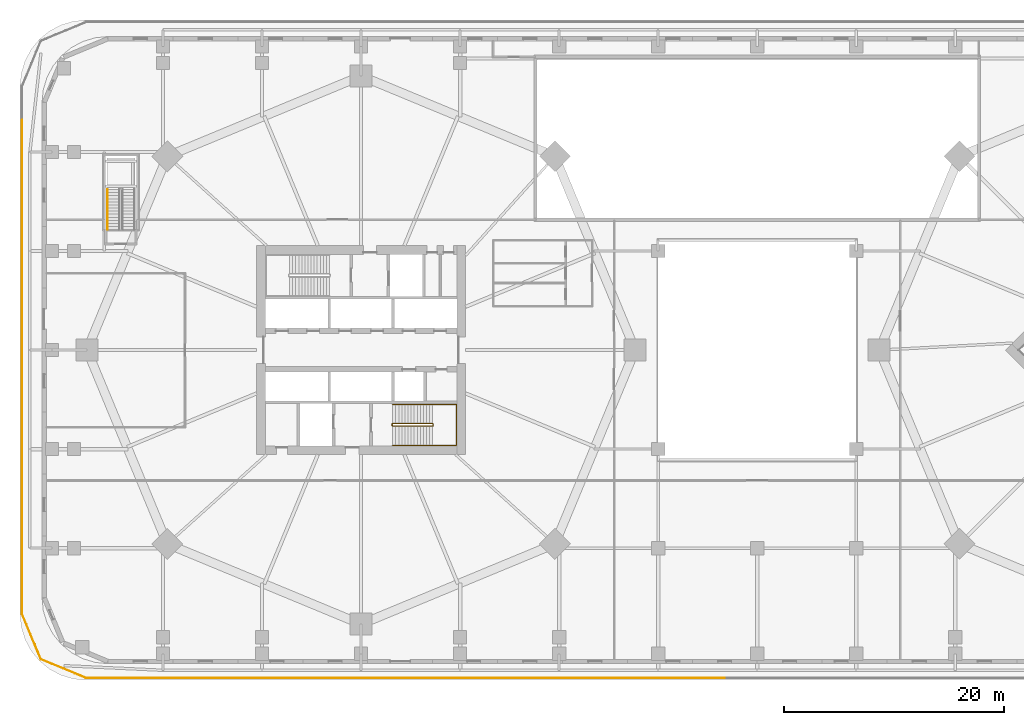
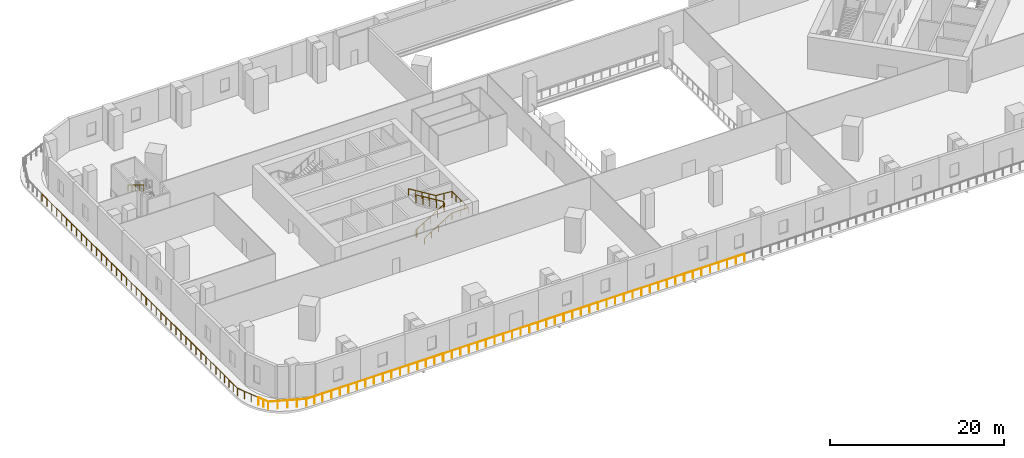
# One storey, part 13 of 17: 17 railings.
"""IFC4 building model written with IfcOpenShell, lengths in metres."""

from ifc_helpers import new_model, si_unit, direction, frame, origin, origin_2d, place, context, subcontext, project, spatial, circle, extrude, material, type_object, element, save


model = new_model("IFC4")

# Units and contexts
model_context = context("Model", 3, precision=1e-05, world=origin(), true_north=direction((0.0, 1.0)))
body_context = subcontext(model_context, "Body", "Model", "MODEL_VIEW")
ifc_project = project(units=[si_unit("LENGTHUNIT", "METRE"), si_unit("AREAUNIT", "SQUARE_METRE"), si_unit("VOLUMEUNIT", "CUBIC_METRE"), si_unit("PLANEANGLEUNIT", "RADIAN"), si_unit("MASSUNIT", "GRAM", prefix="KILO")], contexts=[model_context])

# Site, building, storey
site_placement = place(None, origin())
site = spatial("IfcSite", under=ifc_project, at=site_placement, CompositionType="ELEMENT")
building_placement = place(site_placement, origin())
building = spatial("IfcBuilding", under=site, at=building_placement, Name="Ogive Gate Towers", CompositionType="ELEMENT")
storey_placement = place(building_placement, frame((0.0, 0.0, 18.0)))
storey = spatial("IfcBuildingStorey", under=building, at=storey_placement, Name="L03", CompositionType="ELEMENT", Elevation=18.0)

# Railings
ifc_material_1 = material(Name="Stainless steel", Category="steel")
railing_type_1 = type_object("IfcRailingType", Name="Guard 1100", PredefinedType="GUARDRAIL", material=ifc_material_1)
railing_1_placement = place(storey_placement, frame((-66.800048828125, 20.893798828125, 0.0)))
element("IfcRailing", 1, at=railing_1_placement, inside=storey, type_object=railing_type_1, Name="Terrace guard", PredefinedType="GUARDRAIL", context=body_context, shape_type="SweptSolid", body=[
    extrude(circle(Radius=0.02392578125, at=origin_2d()), frame((0.0, 0.0, 1.076171875), z_axis=(0.0, -1.0, 0.0), x_axis=(1.0, 0.0, 0.0)), (0.0, 0.0, 1.0), 7.939697265625),
    extrude(circle(Radius=0.02099609375, at=origin_2d()), origin(), (0.0, 0.0, 1.0), 1.052001953125),
    extrude(circle(Radius=0.02099609375, at=origin_2d()), frame((0.0, -1.13427734375, 0.0)), (0.0, 0.0, 1.0), 1.052001953125),
    extrude(circle(Radius=0.02099609375, at=origin_2d()), frame((0.0, -2.2685546875, 0.0)), (0.0, 0.0, 1.0), 1.052001953125),
    extrude(circle(Radius=0.02099609375, at=origin_2d()), frame((0.0, -3.40283203125, 0.0)), (0.0, 0.0, 1.0), 1.052001953125),
    extrude(circle(Radius=0.02099609375, at=origin_2d()), frame((0.0, -4.536865234375, 0.0)), (0.0, 0.0, 1.0), 1.052001953125),
    extrude(circle(Radius=0.02099609375, at=origin_2d()), frame((0.0, -5.671142578125, 0.0)), (0.0, 0.0, 1.0), 1.052001953125),
    extrude(circle(Radius=0.02099609375, at=origin_2d()), frame((0.0, -6.805419921875, 0.0)), (0.0, 0.0, 1.0), 1.052001953125),
    extrude(circle(Radius=0.02099609375, at=origin_2d()), frame((0.0, -7.939697265625, 0.0)), (0.0, 0.0, 1.0), 1.052001953125),
])
railing_2_placement = place(storey_placement, frame((-66.800048828125, 12.904052734375, 0.0)))
element("IfcRailing", 2, at=railing_2_placement, inside=storey, type_object=railing_type_1, Name="Terrace guard", PredefinedType="GUARDRAIL", context=body_context, shape_type="SweptSolid", body=[
    extrude(circle(Radius=0.02392578125, at=origin_2d()), frame((0.0, 0.0, 1.076171875), z_axis=(0.0, -1.0, 0.0), x_axis=(1.0, 0.0, 0.0)), (0.0, 0.0, 1.0), 7.939453125),
    extrude(circle(Radius=0.02099609375, at=origin_2d()), origin(), (0.0, 0.0, 1.0), 1.052001953125),
    extrude(circle(Radius=0.02099609375, at=origin_2d()), frame((0.0, -1.13427734375, 0.0)), (0.0, 0.0, 1.0), 1.052001953125),
    extrude(circle(Radius=0.02099609375, at=origin_2d()), frame((0.0, -2.268310546875, 0.0)), (0.0, 0.0, 1.0), 1.052001953125),
    extrude(circle(Radius=0.02099609375, at=origin_2d()), frame((0.0, -3.402587890625, 0.0)), (0.0, 0.0, 1.0), 1.052001953125),
    extrude(circle(Radius=0.02099609375, at=origin_2d()), frame((0.0, -4.536865234375, 0.0)), (0.0, 0.0, 1.0), 1.052001953125),
    extrude(circle(Radius=0.02099609375, at=origin_2d()), frame((0.0, -5.671142578125, 0.0)), (0.0, 0.0, 1.0), 1.052001953125),
    extrude(circle(Radius=0.02099609375, at=origin_2d()), frame((0.0, -6.80517578125, 0.0)), (0.0, 0.0, 1.0), 1.052001953125),
    extrude(circle(Radius=0.02099609375, at=origin_2d()), frame((0.0, -7.939453125, 0.0)), (0.0, 0.0, 1.0), 1.052001953125),
])
for number, where, name in (
    (3, (-66.800048828125, 4.91455078125, 0.0), "Terrace guard"),
    (4, (-66.800048828125, -3.0751953125, 0.0), "Terrace guard"),
    (5, (-66.800048828125, -11.064697265625, 0.0), "Terrace guard"),
):
    element("IfcRailing", number, at=place(storey_placement, frame(where)), inside=storey, type_object=railing_type_1, Name=name, PredefinedType="GUARDRAIL", context=body_context, shape_type="SweptSolid", body=[
        extrude(circle(Radius=0.02392578125, at=origin_2d()), frame((0.0, 0.0, 1.076171875), z_axis=(0.0, -1.0, 0.0), x_axis=(1.0, 0.0, 0.0)), (0.0, 0.0, 1.0), 7.939697265625),
        extrude(circle(Radius=0.02099609375, at=origin_2d()), origin(), (0.0, 0.0, 1.0), 1.052001953125),
        extrude(circle(Radius=0.02099609375, at=origin_2d()), frame((0.0, -1.13427734375, 0.0)), (0.0, 0.0, 1.0), 1.052001953125),
        extrude(circle(Radius=0.02099609375, at=origin_2d()), frame((0.0, -2.2685546875, 0.0)), (0.0, 0.0, 1.0), 1.052001953125),
        extrude(circle(Radius=0.02099609375, at=origin_2d()), frame((0.0, -3.40283203125, 0.0)), (0.0, 0.0, 1.0), 1.052001953125),
        extrude(circle(Radius=0.02099609375, at=origin_2d()), frame((0.0, -4.536865234375, 0.0)), (0.0, 0.0, 1.0), 1.052001953125),
        extrude(circle(Radius=0.02099609375, at=origin_2d()), frame((0.0, -5.671142578125, 0.0)), (0.0, 0.0, 1.0), 1.052001953125),
        extrude(circle(Radius=0.02099609375, at=origin_2d()), frame((0.0, -6.805419921875, 0.0)), (0.0, 0.0, 1.0), 1.052001953125),
        extrude(circle(Radius=0.02099609375, at=origin_2d()), frame((0.0, -7.939697265625, 0.0)), (0.0, 0.0, 1.0), 1.052001953125),
    ])
railing_3_placement = place(storey_placement, frame((-66.800048828125, -19.054443359375, 0.0)))
element("IfcRailing", 6, at=railing_3_placement, inside=storey, type_object=railing_type_1, Name="Terrace guard", PredefinedType="GUARDRAIL", context=body_context, shape_type="SweptSolid", body=[
    extrude(circle(Radius=0.02392578125, at=origin_2d()), frame((0.0, 0.0, 1.076171875), z_axis=(0.0, -1.0, 0.0), x_axis=(1.0, 0.0, 0.0)), (0.0, 0.0, 1.0), 4.945556640625),
    extrude(circle(Radius=0.02392578125, at=origin_2d()), frame((0.0, -4.945556640625, 1.076171875), z_axis=(0.382680671863, -0.923880675944, 0.0), x_axis=(0.923880675944, 0.382680671863, 0.0)), (0.0, 0.0, 1.0), 2.993896484375),
    extrude(circle(Radius=0.02099609375, at=origin_2d()), origin(), (0.0, 0.0, 1.0), 1.052001953125),
    extrude(circle(Radius=0.02099609375, at=origin_2d()), frame((0.0, -0.989013671875, 0.0)), (0.0, 0.0, 1.0), 1.052001953125),
    extrude(circle(Radius=0.02099609375, at=origin_2d()), frame((0.0, -1.978271484375, 0.0)), (0.0, 0.0, 1.0), 1.052001953125),
    extrude(circle(Radius=0.02099609375, at=origin_2d()), frame((0.0, -2.96728515625, 0.0)), (0.0, 0.0, 1.0), 1.052001953125),
    extrude(circle(Radius=0.02099609375, at=origin_2d()), frame((0.0, -3.95654296875, 0.0)), (0.0, 0.0, 1.0), 1.052001953125),
    extrude(circle(Radius=0.02099609375, at=origin_2d()), frame((0.0, -4.945556640625, 0.0)), (0.0, 0.0, 1.0), 1.052001953125),
    extrude(circle(Radius=0.02099609375, at=origin_2d()), frame((0.3818359375, -5.86767578125, 0.0)), (0.0, 0.0, 1.0), 1.052001953125),
    extrude(circle(Radius=0.02099609375, at=origin_2d()), frame((0.763916015625, -6.78955078125, 0.0)), (0.0, 0.0, 1.0), 1.052001953125),
    extrude(circle(Radius=0.02099609375, at=origin_2d()), frame((1.145751953125, -7.711669921875, 0.0)), (0.0, 0.0, 1.0), 1.052001953125),
])
railing_4_placement = place(storey_placement, frame((-65.635009765625, -26.812255859375, 0.0)))
element("IfcRailing", 7, at=railing_4_placement, inside=storey, type_object=railing_type_1, Name="Terrace guard", PredefinedType="GUARDRAIL", context=body_context, shape_type="SweptSolid", body=[
    extrude(circle(Radius=0.02392578125, at=origin_2d()), frame((0.0, 0.0, 1.076171875), z_axis=(0.382526952967, -0.923944332876, 0.0), x_axis=(0.923944332876, 0.382526952967, 0.0)), (0.0, 0.0, 1.0), 1.395263671875),
    extrude(circle(Radius=0.02392578125, at=origin_2d()), frame((0.53369140625, -1.2890625, 1.076171875), z_axis=(0.923886797369, -0.382665892976, 0.0), x_axis=(0.382665892976, 0.923886797369, 0.0)), (0.0, 0.0, 1.0), 4.439208984375),
    extrude(circle(Radius=0.02392578125, at=origin_2d()), frame((4.635009765625, -2.98779296875, 1.076171875), z_axis=(1.0, 0.0, 0.0), x_axis=(0.0, 1.0, 0.0)), (0.0, 0.0, 1.0), 2.10546875),
    extrude(circle(Radius=0.02099609375, at=origin_2d()), origin(), (0.0, 0.0, 1.0), 1.052001953125),
    extrude(circle(Radius=0.02099609375, at=origin_2d()), frame((0.266845703125, -0.64453125, 0.0)), (0.0, 0.0, 1.0), 1.052001953125),
    extrude(circle(Radius=0.02099609375, at=origin_2d()), frame((0.53369140625, -1.2890625, 0.0)), (0.0, 0.0, 1.0), 1.052001953125),
    extrude(circle(Radius=0.02099609375, at=origin_2d()), frame((1.55908203125, -1.7138671875, 0.0)), (0.0, 0.0, 1.0), 1.052001953125),
    extrude(circle(Radius=0.02099609375, at=origin_2d()), frame((2.58447265625, -2.138427734375, 0.0)), (0.0, 0.0, 1.0), 1.052001953125),
    extrude(circle(Radius=0.02099609375, at=origin_2d()), frame((3.609619140625, -2.56298828125, 0.0)), (0.0, 0.0, 1.0), 1.052001953125),
    extrude(circle(Radius=0.02099609375, at=origin_2d()), frame((4.635009765625, -2.98779296875, 0.0)), (0.0, 0.0, 1.0), 1.052001953125),
    extrude(circle(Radius=0.02099609375, at=origin_2d()), frame((5.687744140625, -2.98779296875, 0.0)), (0.0, 0.0, 1.0), 1.052001953125),
    extrude(circle(Radius=0.02099609375, at=origin_2d()), frame((6.740478515625, -2.98779296875, 0.0)), (0.0, 0.0, 1.0), 1.052001953125),
])
for number, where, name in (
    (8, (-58.844482421875, -29.800048828125, 0.0), "Terrace guard"),
    (9, (-50.85498046875, -29.800048828125, 0.0), "Terrace guard"),
    (10, (-42.865234375, -29.800048828125, 0.0), "Terrace guard"),
):
    element("IfcRailing", number, at=place(storey_placement, frame(where)), inside=storey, type_object=railing_type_1, Name=name, PredefinedType="GUARDRAIL", context=body_context, shape_type="SweptSolid", body=[
        extrude(circle(Radius=0.02392578125, at=origin_2d()), frame((0.0, 0.0, 1.076171875), z_axis=(1.0, 0.0, 0.0), x_axis=(0.0, 1.0, 0.0)), (0.0, 0.0, 1.0), 7.939697265625),
        extrude(circle(Radius=0.02099609375, at=origin_2d()), origin(), (0.0, 0.0, 1.0), 1.052001953125),
        extrude(circle(Radius=0.02099609375, at=origin_2d()), frame((1.13427734375, 0.0, 0.0)), (0.0, 0.0, 1.0), 1.052001953125),
        extrude(circle(Radius=0.02099609375, at=origin_2d()), frame((2.2685546875, 0.0, 0.0)), (0.0, 0.0, 1.0), 1.052001953125),
        extrude(circle(Radius=0.02099609375, at=origin_2d()), frame((3.40283203125, 0.0, 0.0)), (0.0, 0.0, 1.0), 1.052001953125),
        extrude(circle(Radius=0.02099609375, at=origin_2d()), frame((4.536865234375, 0.0, 0.0)), (0.0, 0.0, 1.0), 1.052001953125),
        extrude(circle(Radius=0.02099609375, at=origin_2d()), frame((5.671142578125, 0.0, 0.0)), (0.0, 0.0, 1.0), 1.052001953125),
        extrude(circle(Radius=0.02099609375, at=origin_2d()), frame((6.805419921875, 0.0, 0.0)), (0.0, 0.0, 1.0), 1.052001953125),
        extrude(circle(Radius=0.02099609375, at=origin_2d()), frame((7.939697265625, 0.0, 0.0)), (0.0, 0.0, 1.0), 1.052001953125),
    ])
railing_5_placement = place(storey_placement, frame((-34.87548828125, -29.800048828125, 0.0)))
element("IfcRailing", 11, at=railing_5_placement, inside=storey, type_object=railing_type_1, Name="Terrace guard", PredefinedType="GUARDRAIL", context=body_context, shape_type="SweptSolid", body=[
    extrude(circle(Radius=0.02392578125, at=origin_2d()), frame((0.0, 0.0, 1.076171875), z_axis=(1.0, 0.0, 0.0), x_axis=(0.0, 1.0, 0.0)), (0.0, 0.0, 1.0), 7.939453125),
    extrude(circle(Radius=0.02099609375, at=origin_2d()), origin(), (0.0, 0.0, 1.0), 1.052001953125),
    extrude(circle(Radius=0.02099609375, at=origin_2d()), frame((1.13427734375, 0.0, 0.0)), (0.0, 0.0, 1.0), 1.052001953125),
    extrude(circle(Radius=0.02099609375, at=origin_2d()), frame((2.268310546875, 0.0, 0.0)), (0.0, 0.0, 1.0), 1.052001953125),
    extrude(circle(Radius=0.02099609375, at=origin_2d()), frame((3.402587890625, 0.0, 0.0)), (0.0, 0.0, 1.0), 1.052001953125),
    extrude(circle(Radius=0.02099609375, at=origin_2d()), frame((4.536865234375, 0.0, 0.0)), (0.0, 0.0, 1.0), 1.052001953125),
    extrude(circle(Radius=0.02099609375, at=origin_2d()), frame((5.671142578125, 0.0, 0.0)), (0.0, 0.0, 1.0), 1.052001953125),
    extrude(circle(Radius=0.02099609375, at=origin_2d()), frame((6.80517578125, 0.0, 0.0)), (0.0, 0.0, 1.0), 1.052001953125),
    extrude(circle(Radius=0.02099609375, at=origin_2d()), frame((7.939453125, 0.0, 0.0)), (0.0, 0.0, 1.0), 1.052001953125),
])
for number, where, name in (
    (12, (-26.885986328125, -29.800048828125, 0.0), "Terrace guard"),
    (13, (-18.896484375, -29.800048828125, 0.0), "Terrace guard"),
    (14, (-10.90673828125, -29.800048828125, 0.0), "Terrace guard"),
):
    element("IfcRailing", number, at=place(storey_placement, frame(where)), inside=storey, type_object=railing_type_1, Name=name, PredefinedType="GUARDRAIL", context=body_context, shape_type="SweptSolid", body=[
        extrude(circle(Radius=0.02392578125, at=origin_2d()), frame((0.0, 0.0, 1.076171875), z_axis=(1.0, 0.0, 0.0), x_axis=(0.0, 1.0, 0.0)), (0.0, 0.0, 1.0), 7.939697265625),
        extrude(circle(Radius=0.02099609375, at=origin_2d()), origin(), (0.0, 0.0, 1.0), 1.052001953125),
        extrude(circle(Radius=0.02099609375, at=origin_2d()), frame((1.13427734375, 0.0, 0.0)), (0.0, 0.0, 1.0), 1.052001953125),
        extrude(circle(Radius=0.02099609375, at=origin_2d()), frame((2.2685546875, 0.0, 0.0)), (0.0, 0.0, 1.0), 1.052001953125),
        extrude(circle(Radius=0.02099609375, at=origin_2d()), frame((3.40283203125, 0.0, 0.0)), (0.0, 0.0, 1.0), 1.052001953125),
        extrude(circle(Radius=0.02099609375, at=origin_2d()), frame((4.536865234375, 0.0, 0.0)), (0.0, 0.0, 1.0), 1.052001953125),
        extrude(circle(Radius=0.02099609375, at=origin_2d()), frame((5.671142578125, 0.0, 0.0)), (0.0, 0.0, 1.0), 1.052001953125),
        extrude(circle(Radius=0.02099609375, at=origin_2d()), frame((6.805419921875, 0.0, 0.0)), (0.0, 0.0, 1.0), 1.052001953125),
        extrude(circle(Radius=0.02099609375, at=origin_2d()), frame((7.939697265625, 0.0, 0.0)), (0.0, 0.0, 1.0), 1.052001953125),
    ])
ifc_material_2 = material(Name="Stainless steel handrail", Category="steel")
railing_type_2 = type_object("IfcRailingType", Name="Podium stair handrail 900", PredefinedType="HANDRAIL", material=ifc_material_2)
railing_6_placement = place(storey_placement, frame((-59.050048828125, 14.590087890625, 2.571533203125)))
element("IfcRailing", 15, at=railing_6_placement, inside=storey, type_object=railing_type_2, Name="L03 PS1 stair handrail 2", PredefinedType="HANDRAIL", context=body_context, shape_type="SweptSolid", body=[
    extrude(circle(Radius=0.02392578125, at=origin_2d()), frame((0.0, 0.0, 0.8759765625), z_axis=(0.0, -0.852865859571, 0.52213008492), x_axis=(1.0, 0.0, 0.0)), (0.0, 0.0, 1.0), 4.26806640625),
    extrude(circle(Radius=0.02099609375, at=origin_2d()), origin(), (0.0, 0.0, 1.0), 0.851806640625),
    extrude(circle(Radius=0.02099609375, at=origin_2d()), frame((0.0, -0.91015625, 0.55712890625)), (0.0, 0.0, 1.0), 0.851806640625),
    extrude(circle(Radius=0.02099609375, at=origin_2d()), frame((0.0, -1.820068359375, 1.1142578125)), (0.0, 0.0, 1.0), 0.851806640625),
    extrude(circle(Radius=0.02099609375, at=origin_2d()), frame((0.0, -2.72998046875, 1.67138671875)), (0.0, 0.0, 1.0), 0.851806640625),
    extrude(circle(Radius=0.02099609375, at=origin_2d()), frame((0.0, -3.64013671875, 2.228515625)), (0.0, 0.0, 1.0), 0.851806640625),
])
railing_type_3 = type_object("IfcRailingType", Name="Stair guard 1100", PredefinedType="GUARDRAIL", material=ifc_material_1)
railing_7_placement = place(storey_placement, frame((-33.18505859375, -6.860107421875, 0.0)))
element("IfcRailing", 16, at=railing_7_placement, inside=storey, type_object=railing_type_3, Name="L03 ST2 stair guard 1", PredefinedType="GUARDRAIL", context=body_context, shape_type="SweptSolid", body=[
    extrude(circle(Radius=0.02392578125, at=origin_2d()), frame((0.0, 0.0, 1.076171875), z_axis=(0.0, 1.0, 0.0), x_axis=(-1.0, 0.0, 0.0)), (0.0, 0.0, 1.0), 0.14501953125),
    extrude(circle(Radius=0.02392578125, at=origin_2d()), frame((0.0, 0.14501953125, 1.076171875), z_axis=(0.189390444499, -0.737236949804, 0.648546790429), x_axis=(0.968551454522, 0.24881334358, 0.0)), (0.0, 0.0, 1.0), 0.26416015625),
    extrude(circle(Radius=0.02392578125, at=origin_2d()), frame((0.050048828125, -0.0498046875, 1.24755859375), z_axis=(0.852850264322, 0.0, 0.5221555579), x_axis=(0.0, 1.0, 0.0)), (0.0, 0.0, 1.0), 4.267822265625),
    extrude(circle(Radius=0.02392578125, at=origin_2d()), frame((3.68994140625, -0.0498046875, 3.47607421875), z_axis=(0.708833529934, 0.705375805398, 0.0), x_axis=(-0.705375805398, 0.708833529934, 0.0)), (0.0, 0.0, 1.0), 0.070556640625),
    extrude(circle(Radius=0.02392578125, at=origin_2d()), frame((3.739990234375, 0.0, 3.47607421875), z_axis=(0.0, 1.0, 0.0), x_axis=(-1.0, 0.0, 0.0)), (0.0, 0.0, 1.0), 0.14501953125),
    extrude(circle(Radius=0.02392578125, at=origin_2d()), frame((3.739990234375, 0.14501953125, 3.47607421875), z_axis=(-0.269583098496, 0.269583098496, 0.924472771914), x_axis=(-0.707106781187, -0.707106781187, 0.0)), (0.0, 0.0, 1.0), 0.185546875),
    extrude(circle(Radius=0.02392578125, at=origin_2d()), frame((3.68994140625, 0.195068359375, 3.6474609375), z_axis=(-0.852850264322, 0.0, 0.5221555579), x_axis=(0.0, -1.0, 0.0)), (0.0, 0.0, 1.0), 4.267822265625),
    extrude(circle(Radius=0.02099609375, at=origin_2d()), origin(), (0.0, 0.0, 1.0), 1.052001953125),
    extrude(circle(Radius=0.02099609375, at=origin_2d()), frame((0.0, 0.14501953125, 0.0)), (0.0, 0.0, 1.0), 1.052001953125),
    extrude(circle(Radius=0.02099609375, at=origin_2d()), frame((0.050048828125, -0.0498046875, 0.17138671875)), (0.0, 0.0, 1.0), 1.052001953125),
    extrude(circle(Radius=0.02099609375, at=origin_2d()), frame((0.9599609375, -0.0498046875, 0.728515625)), (0.0, 0.0, 1.0), 1.052001953125),
    extrude(circle(Radius=0.02099609375, at=origin_2d()), frame((1.8701171875, -0.0498046875, 1.28564453125)), (0.0, 0.0, 1.0), 1.052001953125),
    extrude(circle(Radius=0.02099609375, at=origin_2d()), frame((2.780029296875, -0.0498046875, 1.8427734375)), (0.0, 0.0, 1.0), 1.052001953125),
    extrude(circle(Radius=0.02099609375, at=origin_2d()), frame((3.68994140625, -0.0498046875, 2.39990234375)), (0.0, 0.0, 1.0), 1.052001953125),
    extrude(circle(Radius=0.02099609375, at=origin_2d()), frame((3.739990234375, 0.0, 2.39990234375)), (0.0, 0.0, 1.0), 1.052001953125),
    extrude(circle(Radius=0.02099609375, at=origin_2d()), frame((3.739990234375, 0.14501953125, 2.39990234375)), (0.0, 0.0, 1.0), 1.052001953125),
    extrude(circle(Radius=0.02099609375, at=origin_2d()), frame((3.68994140625, 0.195068359375, 2.571533203125)), (0.0, 0.0, 1.0), 1.052001953125),
    extrude(circle(Radius=0.02099609375, at=origin_2d()), frame((2.780029296875, 0.195068359375, 3.128662109375)), (0.0, 0.0, 1.0), 1.052001953125),
    extrude(circle(Radius=0.02099609375, at=origin_2d()), frame((1.8701171875, 0.195068359375, 3.685791015625)), (0.0, 0.0, 1.0), 1.052001953125),
    extrude(circle(Radius=0.02099609375, at=origin_2d()), frame((0.9599609375, 0.195068359375, 4.242919921875)), (0.0, 0.0, 1.0), 1.052001953125),
    extrude(circle(Radius=0.02099609375, at=origin_2d()), frame((0.050048828125, 0.195068359375, 4.800048828125)), (0.0, 0.0, 1.0), 1.052001953125),
])
railing_type_4 = type_object("IfcRailingType", Name="Stair handrail 900", PredefinedType="HANDRAIL", material=ifc_material_1)
railing_8_placement = place(storey_placement, frame((-33.135009765625, -8.64990234375, 0.17138671875)))
element("IfcRailing", 17, at=railing_8_placement, inside=storey, type_object=railing_type_4, Name="L03 ST2 stair handrail 1", PredefinedType="HANDRAIL", context=body_context, shape_type="SweptSolid", body=[
    extrude(circle(Radius=0.02392578125, at=origin_2d()), frame((0.0, 0.0, 0.8759765625), z_axis=(0.852850264322, 0.0, 0.5221555579), x_axis=(0.0, 1.0, 0.0)), (0.0, 0.0, 1.0), 4.267822265625),
    extrude(circle(Radius=0.02392578125, at=origin_2d()), frame((3.639892578125, 0.0, 3.1044921875), z_axis=(1.0, 0.0, 0.0), x_axis=(0.0, 1.0, 0.0)), (0.0, 0.0, 1.0), 2.14501953125),
    extrude(circle(Radius=0.02392578125, at=origin_2d()), frame((5.784912109375, 0.0, 3.1044921875), z_axis=(0.0, 1.0, 0.0), x_axis=(-1.0, 0.0, 0.0)), (0.0, 0.0, 1.0), 3.724853515625),
    extrude(circle(Radius=0.02392578125, at=origin_2d()), frame((5.784912109375, 3.724853515625, 3.1044921875), z_axis=(-0.996814196204, 0.0, 0.079758750277), x_axis=(0.0, -1.0, 0.0)), (0.0, 0.0, 1.0), 2.15185546875),
    extrude(circle(Radius=0.02392578125, at=origin_2d()), frame((3.639892578125, 3.724853515625, 3.27587890625), z_axis=(-0.852850264322, 0.0, 0.5221555579), x_axis=(0.0, -1.0, 0.0)), (0.0, 0.0, 1.0), 4.267822265625),
    extrude(circle(Radius=0.02099609375, at=origin_2d()), origin(), (0.0, 0.0, 1.0), 0.851806640625),
    extrude(circle(Radius=0.02099609375, at=origin_2d()), frame((0.909912109375, 0.0, 0.55712890625)), (0.0, 0.0, 1.0), 0.851806640625),
    extrude(circle(Radius=0.02099609375, at=origin_2d()), frame((1.81982421875, 0.0, 1.1142578125)), (0.0, 0.0, 1.0), 0.851806640625),
    extrude(circle(Radius=0.02099609375, at=origin_2d()), frame((2.72998046875, 0.0, 1.67138671875)), (0.0, 0.0, 1.0), 0.851806640625),
    extrude(circle(Radius=0.02099609375, at=origin_2d()), frame((3.639892578125, 0.0, 2.228515625)), (0.0, 0.0, 1.0), 0.851806640625),
    extrude(circle(Radius=0.02099609375, at=origin_2d()), frame((4.71240234375, 0.0, 2.228515625)), (0.0, 0.0, 1.0), 0.851806640625),
    extrude(circle(Radius=0.02099609375, at=origin_2d()), frame((5.784912109375, 0.0, 2.228515625)), (0.0, 0.0, 1.0), 0.851806640625),
    extrude(circle(Radius=0.02099609375, at=origin_2d()), frame((5.784912109375, 0.93115234375, 2.228515625)), (0.0, 0.0, 1.0), 0.851806640625),
    extrude(circle(Radius=0.02099609375, at=origin_2d()), frame((5.784912109375, 1.8623046875, 2.228515625)), (0.0, 0.0, 1.0), 0.851806640625),
    extrude(circle(Radius=0.02099609375, at=origin_2d()), frame((5.784912109375, 2.793701171875, 2.228515625)), (0.0, 0.0, 1.0), 0.851806640625),
    extrude(circle(Radius=0.02099609375, at=origin_2d()), frame((5.784912109375, 3.724853515625, 2.228515625)), (0.0, 0.0, 1.0), 0.851806640625),
    extrude(circle(Radius=0.02099609375, at=origin_2d()), frame((4.71240234375, 3.724853515625, 2.314453125)), (0.0, 0.0, 1.0), 0.851806640625),
    extrude(circle(Radius=0.02099609375, at=origin_2d()), frame((3.639892578125, 3.724853515625, 2.400146484375)), (0.0, 0.0, 1.0), 0.851806640625),
    extrude(circle(Radius=0.02099609375, at=origin_2d()), frame((2.72998046875, 3.724853515625, 2.957275390625)), (0.0, 0.0, 1.0), 0.851806640625),
    extrude(circle(Radius=0.02099609375, at=origin_2d()), frame((1.81982421875, 3.724853515625, 3.514404296875)), (0.0, 0.0, 1.0), 0.851806640625),
    extrude(circle(Radius=0.02099609375, at=origin_2d()), frame((0.909912109375, 3.724853515625, 4.071533203125)), (0.0, 0.0, 1.0), 0.851806640625),
    extrude(circle(Radius=0.02099609375, at=origin_2d()), frame((0.0, 3.724853515625, 4.628662109375)), (0.0, 0.0, 1.0), 0.851806640625),
])

save(model, "model.ifc")
